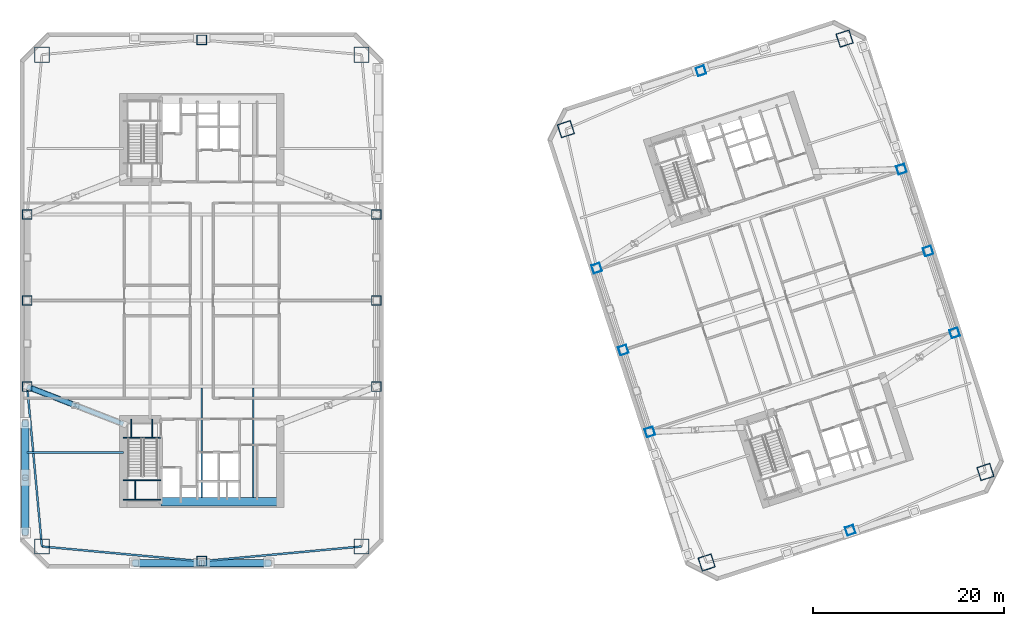
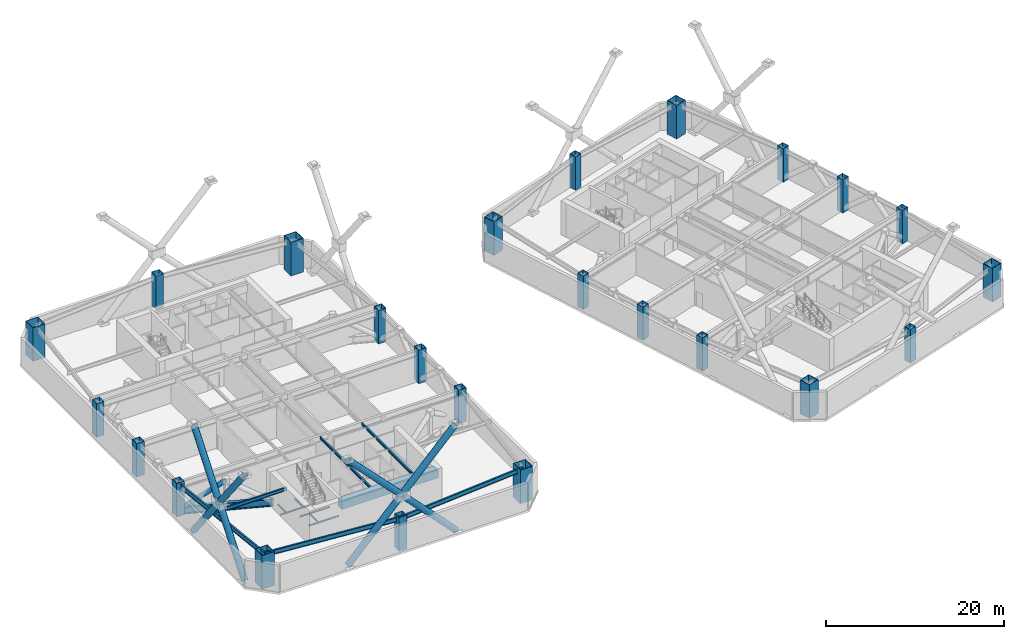
# One storey, part 1 of 19: 24 columns, 14 beams, 9 members.
"""IFC4 building model written with IfcOpenShell, lengths in metres."""

from ifc_helpers import new_model, si_unit, direction, frame, origin, origin_2d, place, context, subcontext, project, spatial, rectangle, hollow_rectangle, hollow_circle, i_section, extrude, material, material_profile, profile_set, type_object, element, save


model = new_model("IFC4")

# Units and contexts
model_context = context("Model", 3, precision=1e-05, world=origin(), true_north=direction((0.0, 1.0)))
body_context = subcontext(model_context, "Body", "Model", "MODEL_VIEW")
ifc_project = project(units=[si_unit("LENGTHUNIT", "METRE"), si_unit("AREAUNIT", "SQUARE_METRE"), si_unit("VOLUMEUNIT", "CUBIC_METRE"), si_unit("PLANEANGLEUNIT", "RADIAN"), si_unit("MASSUNIT", "GRAM", prefix="KILO")], contexts=[model_context])

# Site, building, storey
site_placement = place(None, origin())
site = spatial("IfcSite", under=ifc_project, at=site_placement, CompositionType="ELEMENT")
building_placement = place(site_placement, origin())
building = spatial("IfcBuilding", under=site, at=building_placement, Name="Qiaolan Cultural Towers", CompositionType="ELEMENT")
storey_placement = place(building_placement, frame((0.0, 0.0, 92.0)))
storey = spatial("IfcBuildingStorey", under=building, at=storey_placement, Name="L23", CompositionType="ELEMENT", Elevation=92.0)

# Columns
ifc_material_1 = material(Name="Steel Q355B", Category="steel")
ifc_material_profile_1 = material_profile(ifc_material_1, hollow_rectangle(XDim=1.0, YDim=1.0, WallThickness=0.035888671875, at=origin_2d()), Name="BOX1000x1000x36")
ifc_profile_set_1 = profile_set([ifc_material_profile_1], Name="Steel Q355B")
column_type_1 = type_object("IfcColumnType", Name="COL-BOX1000x1000x36", PredefinedType="COLUMN", material=ifc_profile_set_1)
for number, where, z_axis, x_axis, name in (
    (1, (11.75, 25.0, 0.0), (0.0, 0.0, 1.0), (1.0, 0.0, 0.0), "L23 T1 Perimeter Column PC-W1"),
    (2, (11.75, 34.0, 0.0), (0.0, 0.0, 1.0), (1.0, 0.0, 0.0), "L23 T1 Perimeter Column PC-W2"),
    (3, (11.75, 43.0, 0.0), (0.0, 0.0, 1.0), (1.0, 0.0, 0.0), "L23 T1 Perimeter Column PC-W3"),
    (4, (48.25, 25.0, 0.0), (0.0, 0.0, 1.0), (1.0, 0.0, 0.0), "L23 T1 Perimeter Column PC-E1"),
    (5, (48.25, 34.0, 0.0), (0.0, 0.0, 1.0), (1.0, 0.0, 0.0), "L23 T1 Perimeter Column PC-E2"),
    (6, (48.25, 43.0, 0.0), (0.0, 0.0, 1.0), (1.0, 0.0, 0.0), "L23 T1 Perimeter Column PC-E3"),
    (7, (30.0, 6.75, 0.0), (0.0, 0.0, 1.0), (1.0, 0.0, 0.0), "L23 T1 Perimeter Column PC-S0"),
    (8, (30.0, 61.25, 0.0), (0.0, 0.0, 1.0), (1.0, 0.0, 0.0), "L23 T1 Perimeter Column PC-N0"),
):
    element("IfcColumn", number, at=place(storey_placement, frame(where, z_axis=z_axis, x_axis=x_axis)), inside=storey, type_object=column_type_1, Name=name, PredefinedType="COLUMN", context=body_context, shape_type="SweptSolid", body=[
        extrude(hollow_rectangle(XDim=1.0, YDim=1.0, WallThickness=0.035888671875, at=origin_2d()), origin(), (0.0, 0.0, 1.0), 4.60107421875),
    ])
ifc_material_2 = material(Name="Steel Q420GJB", Category="steel")
ifc_material_profile_2 = material_profile(ifc_material_2, hollow_rectangle(XDim=1.449951171875, YDim=1.449951171875, WallThickness=0.050048828125, at=origin_2d()), Name="BOX1450x1450x50")
ifc_profile_set_2 = profile_set([ifc_material_profile_2], Name="Steel Q420GJB")
column_type_2 = type_object("IfcColumnType", Name="COL-BOX1450x1450x50", PredefinedType="COLUMN", material=ifc_profile_set_2)
for number, where, z_axis, x_axis, name in (
    (9, (82.79052734375, 6.611572265625, 0.0), (0.0, 0.0, 1.0), (0.951056516295, 0.309016994375, 0.0), "L23 T2 Perimeter Column MC-SW"),
    (10, (111.930908203125, 16.080078125, 0.0), (0.0, 0.0, 1.0), (0.951056516295, 0.309016994375, 0.0), "L23 T2 Perimeter Column MC-SE"),
    (11, (97.20947265625, 61.388427734375, 0.0), (0.0, 0.0, 1.0), (0.951056516295, 0.309016994375, 0.0), "L23 T2 Perimeter Column MC-NE"),
    (12, (68.069091796875, 51.919921875, 0.0), (0.0, 0.0, 1.0), (0.951056516295, 0.309016994375, 0.0), "L23 T2 Perimeter Column MC-NW"),
):
    element("IfcColumn", number, at=place(storey_placement, frame(where, z_axis=z_axis, x_axis=x_axis)), inside=storey, type_object=column_type_2, Name=name, PredefinedType="COLUMN", context=body_context, shape_type="SweptSolid", body=[
        extrude(hollow_rectangle(XDim=1.449951171875, YDim=1.449951171875, WallThickness=0.050048828125, at=origin_2d()), origin(), (0.0, 0.0, 1.0), 4.60107421875),
    ])
ifc_material_3 = material(Name="Steel Q420GJB", Category="steel")
ifc_material_profile_3 = material_profile(ifc_material_3, hollow_rectangle(XDim=1.60009765625, YDim=1.60009765625, WallThickness=0.054931640625, at=origin_2d()), Name="BOX1600x1600x55")
ifc_profile_set_3 = profile_set([ifc_material_profile_3], Name="Steel Q420GJB")
column_type_3 = type_object("IfcColumnType", Name="COL-BOX1600x1600x55", PredefinedType="COLUMN", material=ifc_profile_set_3)
for number, where, z_axis, x_axis, name in (
    (13, (13.2900390625, 8.2900390625, 0.0), (0.0, 0.0, 1.0), (1.0, 0.0, 0.0), "L23 T1 Perimeter Column MC-SW"),
    (14, (46.7099609375, 8.2900390625, 0.0), (0.0, 0.0, 1.0), (1.0, 0.0, 0.0), "L23 T1 Perimeter Column MC-SE"),
    (15, (46.7099609375, 59.7099609375, 0.0), (0.0, 0.0, 1.0), (1.0, 0.0, 0.0), "L23 T1 Perimeter Column MC-NE"),
    (16, (13.2900390625, 59.7099609375, 0.0), (0.0, 0.0, 1.0), (1.0, 0.0, 0.0), "L23 T1 Perimeter Column MC-NW"),
):
    element("IfcColumn", number, at=place(storey_placement, frame(where, z_axis=z_axis, x_axis=x_axis)), inside=storey, type_object=column_type_3, Name=name, PredefinedType="COLUMN", context=body_context, shape_type="SweptSolid", body=[
        extrude(hollow_rectangle(XDim=1.60009765625, YDim=1.60009765625, WallThickness=0.054931640625, at=origin_2d()), origin(), (0.0, 0.0, 1.0), 4.60107421875),
    ])
ifc_material_4 = material(Name="Steel Q355B", Category="steel")
ifc_material_profile_4 = material_profile(ifc_material_4, hollow_rectangle(XDim=0.89990234375, YDim=0.89990234375, WallThickness=0.031982421875, at=origin_2d()), Name="BOX900x900x32")
ifc_profile_set_4 = profile_set([ifc_material_profile_4], Name="Steel Q355B")
column_type_4 = type_object("IfcColumnType", Name="COL-BOX900x900x32", PredefinedType="COLUMN", material=ifc_profile_set_4)
for number, where, z_axis, x_axis, name in (
    (17, (76.85107421875, 20.264404296875, 0.0), (0.0, 0.0, 1.0), (0.951056516295, 0.309016994375, 0.0), "L23 T2 Perimeter Column PC-W1"),
    (18, (74.06982421875, 28.823974609375, 0.0), (0.0, 0.0, 1.0), (0.951056516295, 0.309016994375, 0.0), "L23 T2 Perimeter Column PC-W2"),
    (19, (71.28857421875, 37.383544921875, 0.0), (0.0, 0.0, 1.0), (0.951056516295, 0.309016994375, 0.0), "L23 T2 Perimeter Column PC-W3"),
    (20, (108.71142578125, 30.616455078125, 0.0), (0.0, 0.0, 1.0), (0.951056516295, 0.309016994375, 0.0), "L23 T2 Perimeter Column PC-E1"),
    (21, (105.93017578125, 39.176025390625, 0.0), (0.0, 0.0, 1.0), (0.951056516295, 0.309016994375, 0.0), "L23 T2 Perimeter Column PC-E2"),
    (22, (103.14892578125, 47.735595703125, 0.0), (0.0, 0.0, 1.0), (0.951056516295, 0.309016994375, 0.0), "L23 T2 Perimeter Column PC-E3"),
    (23, (97.802734375, 9.98583984375, 0.0), (0.0, 0.0, 1.0), (0.951056516295, 0.309016994375, 0.0), "L23 T2 Perimeter Column PC-S0"),
    (24, (82.197265625, 58.01416015625, 0.0), (0.0, 0.0, 1.0), (0.951056516295, 0.309016994375, 0.0), "L23 T2 Perimeter Column PC-N0"),
):
    element("IfcColumn", number, at=place(storey_placement, frame(where, z_axis=z_axis, x_axis=x_axis)), inside=storey, type_object=column_type_4, Name=name, PredefinedType="COLUMN", context=body_context, shape_type="SweptSolid", body=[
        extrude(hollow_rectangle(XDim=0.89990234375, YDim=0.89990234375, WallThickness=0.031982421875, at=origin_2d()), origin(), (0.0, 0.0, 1.0), 4.60107421875),
    ])

# Beams
ifc_material_5 = material(Name="Steel Q390GJB", Category="steel")
ifc_material_profile_5 = material_profile(ifc_material_5, i_section(OverallWidth=0.449951171875, OverallDepth=1.0, WebThickness=0.02392578125, FlangeThickness=0.0400390625, at=origin_2d()), Name="BH1000x450x24x40")
ifc_profile_set_5 = profile_set([ifc_material_profile_5], Name="Steel Q390GJB")
beam_type_1 = type_object("IfcBeamType", Name="BM-BH1000x450x24x40", PredefinedType="BEAM", material=ifc_profile_set_5)
beam_1_placement = place(storey_placement, frame((21.800048828125, 21.10009765625, 0.5), z_axis=(-0.932269206067, 0.361765293276, 0.0), x_axis=(-0.361765293276, -0.932269206067, 0.0)))
element("IfcBeam", 25, at=beam_1_placement, inside=storey, type_object=beam_type_1, Name="L23 T1 Outrigger Bottom Chord Girder WS", PredefinedType="BEAM", context=body_context, shape_type="SweptSolid", body=[
    extrude(i_section(OverallWidth=0.449951171875, OverallDepth=1.0, WebThickness=0.02392578125, FlangeThickness=0.0400390625, at=origin_2d()), origin(), (0.0, 0.0, 1.0), 10.7802734375),
])
ifc_material_6 = material(Name="Steel Q355B", Category="steel")
ifc_material_profile_6 = material_profile(ifc_material_6, i_section(OverallWidth=0.175048828125, OverallDepth=0.35009765625, WebThickness=0.007080078125, FlangeThickness=0.010986328125, at=origin_2d()), Name="HN350x175x7x11")
ifc_profile_set_6 = profile_set([ifc_material_profile_6], Name="Steel Q355B")
beam_type_2 = type_object("IfcBeamType", Name="BM-JST-HN350x175x7x11", PredefinedType="JOIST", material=ifc_profile_set_6)
for number, where, z_axis, x_axis, name in (
    (26, (30.0, 13.39990234375, 4.1650390625), (0.0, 1.0, 0.0), (-1.0, 0.0, 0.0), "L23 T1 Secondary Floor Joist U2-1"),
    (27, (35.39990234375, 13.39990234375, 4.1650390625), (0.0, 1.0, 0.0), (-1.0, 0.0, 0.0), "L23 T1 Secondary Floor Joist U3-1"),
):
    element("IfcBeam", number, at=place(storey_placement, frame(where, z_axis=z_axis, x_axis=x_axis)), inside=storey, type_object=beam_type_2, Name=name, PredefinedType="JOIST", context=body_context, shape_type="SweptSolid", body=[
        extrude(i_section(OverallWidth=0.175048828125, OverallDepth=0.35009765625, WebThickness=0.007080078125, FlangeThickness=0.010986328125, at=origin_2d()), origin(), (0.0, 0.0, 1.0), 11.4501953125),
    ])
ifc_material_7 = material(Name="Steel Q355B", Category="steel")
ifc_material_profile_7 = material_profile(ifc_material_7, i_section(OverallWidth=0.199951171875, OverallDepth=0.449951171875, WebThickness=0.009033203125, FlangeThickness=0.013916015625, at=origin_2d()), Name="HN450x200x9x14")
ifc_profile_set_7 = profile_set([ifc_material_profile_7], Name="Steel Q355B")
beam_type_3 = type_object("IfcBeamType", Name="BM-LNT-HN450x200x9x14", PredefinedType="LINTEL", material=ifc_profile_set_7)
beam_2_placement = place(storey_placement, frame((21.800048828125, 18.10009765625, 4.114990234375), z_axis=(-1.0, 0.0, 0.0), x_axis=(0.0, -1.0, 0.0)))
element("IfcBeam", 28, at=beam_2_placement, inside=storey, type_object=beam_type_3, Name="L23 T1 Core Flank Tie Lintel WS", PredefinedType="LINTEL", context=body_context, shape_type="SweptSolid", body=[
    extrude(i_section(OverallWidth=0.199951171875, OverallDepth=0.449951171875, WebThickness=0.009033203125, FlangeThickness=0.013916015625, at=origin_2d()), origin(), (0.0, 0.0, 1.0), 10.050048828125),
])
ifc_material_8 = material(Name="Concrete C50", Category="concrete")
ifc_material_profile_8 = material_profile(ifc_material_8, rectangle(XDim=0.89990234375, YDim=1.10009765625, at=origin_2d()), Name="RC900x1100")
ifc_profile_set_8 = profile_set([ifc_material_profile_8], Name="Concrete C50")
beam_type_4 = type_object("IfcBeamType", Name="BM-RC900x1100", PredefinedType="BEAM", material=ifc_profile_set_8)
beam_3_placement = place(storey_placement, frame((25.719970703125, 12.949951171875, 3.7900390625), z_axis=(1.0, 0.0, 0.0), x_axis=(0.0, 1.0, 0.0)))
element("IfcBeam", 29, at=beam_3_placement, inside=storey, type_object=beam_type_4, Name="L23 T1 Core Header Girder S", PredefinedType="BEAM", context=body_context, shape_type="SweptSolid", body=[
    extrude(rectangle(XDim=0.89990234375, YDim=1.10009765625, at=origin_2d()), origin(), (0.0, 0.0, 1.0), 12.47998046875),
])
ifc_material_9 = material(Name="Steel Q355B", Category="steel")
ifc_material_profile_9 = material_profile(ifc_material_9, i_section(OverallWidth=0.199951171875, OverallDepth=0.60009765625, WebThickness=0.010986328125, FlangeThickness=0.01708984375, at=origin_2d()), Name="HN600x200x11x17")
ifc_profile_set_9 = profile_set([ifc_material_profile_9], Name="Steel Q355B")
beam_type_5 = type_object("IfcBeamType", Name="BM-SPD-HN600x200x11x17", PredefinedType="SPANDREL", material=ifc_profile_set_9)
for number, where, z_axis, x_axis, name in (
    (30, (13.2900390625, 8.2900390625, 4.0400390625), (0.995779862064, -0.09177399582, 0.0), (0.09177399582, 0.995779862064, 0.0), "L23 T1 Perimeter Spandrel Beam 1"),
    (31, (30.0, 6.75, 4.0400390625), (0.995779862064, 0.09177399582, 0.0), (-0.09177399582, 0.995779862064, 0.0), "L23 T1 Perimeter Spandrel Beam 2"),
    (32, (11.75, 25.0, 4.0400390625), (0.09177399582, -0.995779862064, 0.0), (0.995779862064, 0.09177399582, 0.0), "L23 T1 Perimeter Spandrel Beam 12"),
):
    element("IfcBeam", number, at=place(storey_placement, frame(where, z_axis=z_axis, x_axis=x_axis)), inside=storey, type_object=beam_type_5, Name=name, PredefinedType="SPANDREL", context=body_context, shape_type="SweptSolid", body=[
        extrude(i_section(OverallWidth=0.199951171875, OverallDepth=0.60009765625, WebThickness=0.010986328125, FlangeThickness=0.01708984375, at=origin_2d()), origin(), (0.0, 0.0, 1.0), 16.78076171875),
    ])
ifc_material_10 = material(Name="Steel Q355B", Category="steel")
ifc_material_profile_10 = material_profile(ifc_material_10, i_section(OverallWidth=0.10009765625, OverallDepth=0.199951171875, WebThickness=0.005615234375, FlangeThickness=0.008056640625, at=origin_2d()), Name="HN200x100x5.5x8")
ifc_profile_set_10 = profile_set([ifc_material_profile_10], Name="Steel Q355B")
beam_type_6 = type_object("IfcBeamType", Name="BM-STTRIM-200", PredefinedType="BEAM", material=ifc_profile_set_10)
beam_4_placement = place(storey_placement, frame((21.800048828125, 19.659912109375, -0.4599609375), z_axis=(1.0, 0.0, 0.0), x_axis=(0.0, 1.0, 0.0)))
element("IfcBeam", 33, at=beam_4_placement, inside=storey, type_object=beam_type_6, Name="L23 ST-W1 Floor Landing Header Beam", PredefinedType="BEAM", context=body_context, shape_type="SweptSolid", body=[
    extrude(i_section(OverallWidth=0.10009765625, OverallDepth=0.199951171875, WebThickness=0.005615234375, FlangeThickness=0.008056640625, at=origin_2d()), origin(), (0.0, 0.0, 1.0), 3.919921875),
])
for number, where, z_axis, x_axis, name in (
    (34, (22.64990234375, 21.60009765625, -0.4599609375), (0.0, -1.0, 0.0), (1.0, 0.0, 0.0), "L23 ST-W1 Floor Landing Stringer 1"),
    (35, (24.85009765625, 21.60009765625, -0.4599609375), (0.0, -1.0, 0.0), (1.0, 0.0, 0.0), "L23 ST-W1 Floor Landing Stringer 2"),
):
    element("IfcBeam", number, at=place(storey_placement, frame(where, z_axis=z_axis, x_axis=x_axis)), inside=storey, type_object=beam_type_6, Name=name, PredefinedType="BEAM", context=body_context, shape_type="SweptSolid", body=[
        extrude(i_section(OverallWidth=0.10009765625, OverallDepth=0.199951171875, WebThickness=0.005615234375, FlangeThickness=0.008056640625, at=origin_2d()), origin(), (0.0, 0.0, 1.0), 1.940185546875),
    ])
for number, where, z_axis, x_axis, name in (
    (36, (21.800048828125, 15.211181640625, 2.0), (1.0, 0.0, 0.0), (0.0, 1.0, 0.0), "L23 ST-W1 Stair Landing Support Beam 1-1"),
    (37, (21.800048828125, 13.179931640625, 2.0), (1.0, 0.0, 0.0), (0.0, 1.0, 0.0), "L23 ST-W1 Stair Landing Support Beam 1-2"),
):
    element("IfcBeam", number, at=place(storey_placement, frame(where, z_axis=z_axis, x_axis=x_axis)), inside=storey, type_object=beam_type_6, Name=name, PredefinedType="BEAM", context=body_context, shape_type="SweptSolid", body=[
        extrude(i_section(OverallWidth=0.10009765625, OverallDepth=0.199951171875, WebThickness=0.005615234375, FlangeThickness=0.008056640625, at=origin_2d()), origin(), (0.0, 0.0, 1.0), 3.919921875),
    ])
beam_5_placement = place(storey_placement, frame((23.070068359375, 15.211181640625, 2.0), z_axis=(0.0, -1.0, 0.0), x_axis=(1.0, 0.0, 0.0)))
element("IfcBeam", 38, at=beam_5_placement, inside=storey, type_object=beam_type_6, Name="L23 ST-W1 Stair Landing Trimmer 1", PredefinedType="BEAM", context=body_context, shape_type="SweptSolid", body=[
    extrude(i_section(OverallWidth=0.10009765625, OverallDepth=0.199951171875, WebThickness=0.005615234375, FlangeThickness=0.008056640625, at=origin_2d()), origin(), (0.0, 0.0, 1.0), 2.03125),
])

# Members
ifc_material_11 = material(Name="Steel Q355B", Category="steel")
ifc_material_profile_11 = material_profile(ifc_material_11, hollow_circle(Radius=0.300048828125, WallThickness=0.030029296875, at=origin_2d()), Name="CHS600x30")
ifc_profile_set_11 = profile_set([ifc_material_profile_11], Name="Steel Q355B")
member_type_1 = type_object("IfcMemberType", Name="MBR-BRC-CHS600x30", PredefinedType="BRACE", material=ifc_profile_set_11)
member_1_placement = place(storey_placement, frame((16.77490234375, 23.050048828125, 4.02001953125), z_axis=(-0.78055714211, 0.302901073464, -0.546791996645), x_axis=(-0.361772931457, -0.932266242049, 0.0)))
element("IfcMember", 39, at=member_1_placement, inside=storey, type_object=member_type_1, Name="L23 T1 Outrigger Truss Diagonal WS-2", PredefinedType="BRACE", context=body_context, shape_type="SweptSolid", body=[
    extrude(hollow_circle(Radius=0.300048828125, WallThickness=0.030029296875, at=origin_2d()), origin(), (0.0, 0.0, 1.0), 6.4375),
])
ifc_material_12 = material(Name="Steel Q390GJB", Category="steel")
ifc_material_profile_12 = material_profile(ifc_material_12, hollow_circle(Radius=0.39990234375, WallThickness=0.0400390625, at=origin_2d()), Name="CHS800x40")
ifc_profile_set_12 = profile_set([ifc_material_profile_12], Name="Steel Q390GJB")
member_type_2 = type_object("IfcMemberType", Name="MBR-BRC-CHS800x40", PredefinedType="BRACE", material=ifc_profile_set_12)
member_2_placement = place(storey_placement, frame((11.550048828125, 9.75, 0.14990234375), z_axis=(0.0, 0.619738541266, 0.78480834633), x_axis=(-1.0, 0.0, 0.0)))
element("IfcMember", 40, at=member_2_placement, inside=storey, type_object=member_type_2, Name="T1 WEST Perimeter Frame Diagonal W-Z2-M1-D1A", PredefinedType="BRACE", context=body_context, shape_type="SweptSolid", body=[
    extrude(hollow_circle(Radius=0.39990234375, WallThickness=0.0400390625, at=origin_2d()), origin(), (0.0, 0.0, 1.0), 9.238037109375),
])
for number, where, z_axis, x_axis, name in (
    (41, (11.550048828125, 15.47509765625, 7.39990234375), (0.0, 0.619722263172, 0.784821200356), (-1.0, 0.0, 0.0), "T1 WEST Perimeter Frame Diagonal W-Z2-M1-D1B"),
    (42, (11.550048828125, 21.199951171875, 0.14990234375), (0.0, -0.619722263172, 0.784821200356), (1.0, 0.0, 0.0), "T1 WEST Perimeter Frame Diagonal W-Z2-M1-D2A"),
):
    element("IfcMember", number, at=place(storey_placement, frame(where, z_axis=z_axis, x_axis=x_axis)), inside=storey, type_object=member_type_2, Name=name, PredefinedType="BRACE", context=body_context, shape_type="SweptSolid", body=[
        extrude(hollow_circle(Radius=0.39990234375, WallThickness=0.0400390625, at=origin_2d()), origin(), (0.0, 0.0, 1.0), 9.23779296875),
    ])
member_3_placement = place(storey_placement, frame((11.550048828125, 15.47509765625, 7.39990234375), z_axis=(0.0, -0.619738541266, 0.78480834633), x_axis=(1.0, 0.0, 0.0)))
element("IfcMember", 43, at=member_3_placement, inside=storey, type_object=member_type_2, Name="T1 WEST Perimeter Frame Diagonal W-Z2-M1-D2B", PredefinedType="BRACE", context=body_context, shape_type="SweptSolid", body=[
    extrude(hollow_circle(Radius=0.39990234375, WallThickness=0.0400390625, at=origin_2d()), origin(), (0.0, 0.0, 1.0), 9.238037109375),
])
for number, where, z_axis, x_axis, name in (
    (44, (23.0, 6.550048828125, 0.14990234375), (0.6945945137, 0.0, 0.719401460617), (0.0, 1.0, 0.0), "T1 SOUTH Perimeter Frame Diagonal W-Z2-M1-D1A"),
    (45, (30.0, 6.550048828125, 7.39990234375), (0.6945945137, 0.0, 0.719401460617), (0.0, 1.0, 0.0), "T1 SOUTH Perimeter Frame Diagonal W-Z2-M1-D1B"),
    (46, (37.0, 6.550048828125, 0.14990234375), (-0.6945945137, 0.0, 0.719401460617), (0.0, -1.0, 0.0), "T1 SOUTH Perimeter Frame Diagonal W-Z2-M1-D2A"),
    (47, (30.0, 6.550048828125, 7.39990234375), (-0.6945945137, 0.0, 0.719401460617), (0.0, -1.0, 0.0), "T1 SOUTH Perimeter Frame Diagonal W-Z2-M1-D2B"),
):
    element("IfcMember", number, at=place(storey_placement, frame(where, z_axis=z_axis, x_axis=x_axis)), inside=storey, type_object=member_type_2, Name=name, PredefinedType="BRACE", context=body_context, shape_type="SweptSolid", body=[
        extrude(hollow_circle(Radius=0.39990234375, WallThickness=0.0400390625, at=origin_2d()), origin(), (0.0, 0.0, 1.0), 10.077880859375),
    ])

save(model, "model.ifc")
